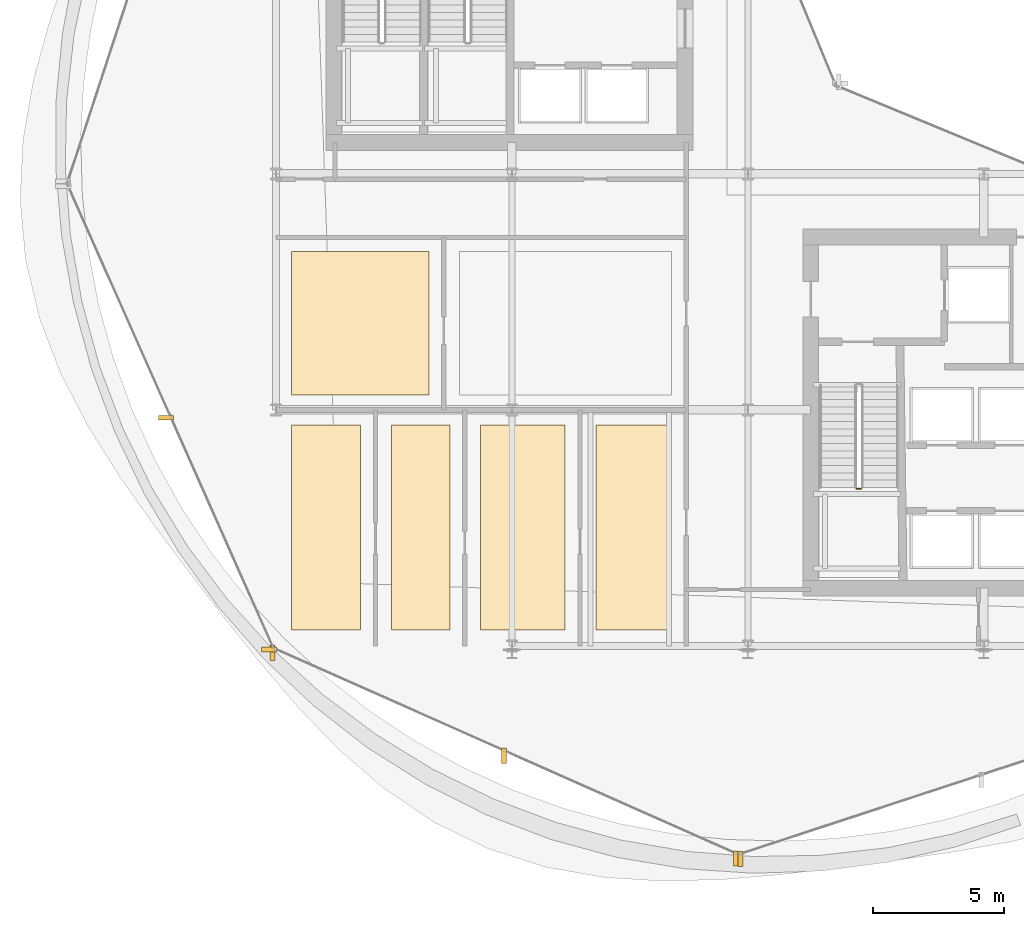
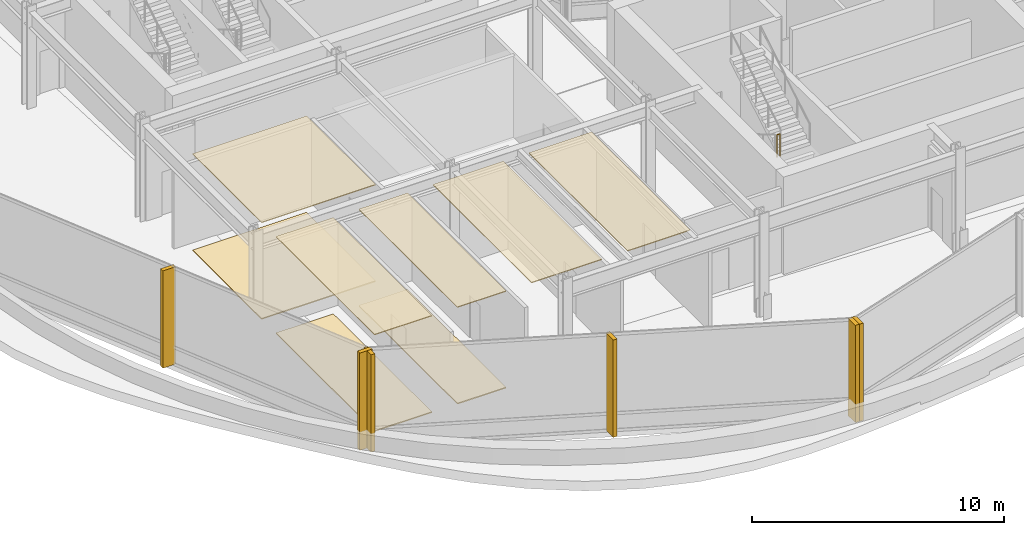
# One storey, part 27 of 33: 14 coverings, 1 railing.
"""IFC4 building model written with IfcOpenShell, lengths in metres."""

import ifcopenshell
import ifcopenshell.guid

model = None  # the IFC model being written
_history = None  # IfcOwnerHistory: only IFC2X3 demands one
_inside = {}  # id of a spatial element -> (the spatial element, [elements in it])
_under = {}  # id of a project, library or spatial element -> (it, [spatial elements below it])
_declared = {}  # id of a project -> (the project, [libraries it declares])
_typed = {}  # id of a type object -> (the type object, [elements of that type])
_made_of = {}  # id of a material, layer set ... -> (it, [elements and type objects made of it])


def new_model(schema):
    """Start an empty IFC model of exactly this schema.

    Asked for "IFC4X3", IfcOpenShell would pick the latest addendum, in which some entities
    have other attributes; the version numbers below select the first issue.
    IFC2X3 requires an IfcOwnerHistory on every rooted entity: one is made here for all.
    """
    global model, _history
    if schema == "IFC4X3":
        model = ifcopenshell.file(schema_version=(4, 3, 0, 0))
    else:
        model = ifcopenshell.file(schema=schema)
    _inside.clear()
    _under.clear()
    _declared.clear()
    _typed.clear()
    _made_of.clear()
    _history = None
    if model.schema == "IFC2X3":
        org = make("IfcOrganization", Name="unknown")
        user = make(
            "IfcPersonAndOrganization",
            ThePerson=make("IfcPerson", FamilyName="unknown"),
            TheOrganization=org,
        )
        app = make(
            "IfcApplication",
            ApplicationDeveloper=org,
            Version="unknown",
            ApplicationFullName="unknown",
            ApplicationIdentifier="unknown",
        )
        _history = make(
            "IfcOwnerHistory",
            OwningUser=user,
            OwningApplication=app,
            ChangeAction="ADDED",
            CreationDate=0,
        )
    return model


def make(cls, **values):
    """One entity of the class cls with the attributes given. An attribute that is None is left unset."""
    return model.create_entity(
        cls, **{name: value for name, value in values.items() if value is not None}
    )


def rooted(cls, **values):
    """An entity with a GlobalId (a new one), such as an element, a storey or a relation."""
    return make(cls, GlobalId=ifcopenshell.guid.new(), OwnerHistory=_history, **values)


def si_unit(unit_type, name, prefix=None):
    """IfcSIUnit, for example si_unit("LENGTHUNIT", "METRE", prefix="MILLI")."""
    return make("IfcSIUnit", UnitType=unit_type, Prefix=prefix, Name=name)


def assignment(units):
    """IfcUnitAssignment: the units of a project."""
    return None if units is None else make("IfcUnitAssignment", Units=units)


def point(xyz):
    """IfcCartesianPoint."""
    return None if xyz is None else make("IfcCartesianPoint", Coordinates=xyz)


def direction(xyz):
    """IfcDirection."""
    return None if xyz is None else make("IfcDirection", DirectionRatios=xyz)


def frame(location, z_axis=None, x_axis=None):
    """IfcAxis2Placement3D, a coordinate frame: its origin and axes. An axis left out is left unset."""
    return make(
        "IfcAxis2Placement3D",
        Location=point(location),
        Axis=direction(z_axis),
        RefDirection=direction(x_axis),
    )


def frame_2d(location, x_axis=None):
    """IfcAxis2Placement2D, a coordinate frame in the plane: its origin and x axis."""
    return make(
        "IfcAxis2Placement2D", Location=point(location), RefDirection=direction(x_axis)
    )


def origin():
    """The frame at (0, 0, 0) with its axes left unset."""
    return frame((0.0, 0.0, 0.0))


def origin_2d():
    """The frame at (0, 0) in the plane with its x axis left unset."""
    return frame_2d((0.0, 0.0))


def place(relative_to, where):
    """IfcLocalPlacement: puts the frame where relative to a parent placement (None: the world)."""
    return make(
        "IfcLocalPlacement", PlacementRelTo=relative_to, RelativePlacement=where
    )


def context(
    kind, dimensions, precision=None, world=None, true_north=None, identifier=None
):
    """IfcGeometricRepresentationContext, for example the 3D "Model" context."""
    return make(
        "IfcGeometricRepresentationContext",
        ContextIdentifier=identifier,
        ContextType=kind,
        CoordinateSpaceDimension=dimensions,
        Precision=precision,
        WorldCoordinateSystem=world,
        TrueNorth=true_north,
    )


def subcontext(parent, identifier, kind, view, scale=None):
    """IfcGeometricRepresentationSubContext, for example "Body" below "Model"."""
    return make(
        "IfcGeometricRepresentationSubContext",
        ContextIdentifier=identifier,
        ContextType=kind,
        ParentContext=parent,
        TargetScale=scale,
        TargetView=view,
    )


def project(units=None, contexts=None):
    """IfcProject with its units and contexts."""
    return rooted(
        "IfcProject",
        Name="project",
        RepresentationContexts=contexts,
        UnitsInContext=assignment(units),
    )


def spatial(cls, under=None, at=None, **own):
    """A site, building, storey or space (cls), placed at a placement, below another one or the project."""
    s = rooted(cls, ObjectPlacement=at, **own)
    if under is not None:
        _under.setdefault(under.id(), (under, []))[1].append(s)
    return s


def polyline(points):
    """IfcPolyline through the points."""
    return make("IfcPolyline", Points=[point(p) for p in points])


def profile(cls, at=None, kind="AREA", **sizes):
    """A parametric profile (cls). Its sizes go by their IFC names, for example OverallWidth=200.0."""
    return make(cls, ProfileType=kind, Position=at, **sizes)


def rectangle(**sizes):
    """IfcRectangleProfileDef."""
    return profile("IfcRectangleProfileDef", **sizes)


def circle(**sizes):
    """IfcCircleProfileDef."""
    return profile("IfcCircleProfileDef", **sizes)


def outline(outer, holes=None, kind="AREA"):
    """IfcArbitraryClosedProfileDef: a profile drawn as a closed curve; with holes, ...WithVoids."""
    if holes is None:
        return make("IfcArbitraryClosedProfileDef", ProfileType=kind, OuterCurve=outer)
    return make(
        "IfcArbitraryProfileDefWithVoids",
        ProfileType=kind,
        OuterCurve=outer,
        InnerCurves=holes,
    )


def extrude(swept, where, along, depth):
    """IfcExtrudedAreaSolid: the profile swept, set in the frame where, extruded along a direction by depth."""
    return make(
        "IfcExtrudedAreaSolid",
        SweptArea=swept,
        Position=where,
        ExtrudedDirection=direction(along),
        Depth=depth,
    )


def shape(context_of_items, identifier, shape_type, items):
    """IfcShapeRepresentation: the items that make up one representation, for example the "Body"."""
    return make(
        "IfcShapeRepresentation",
        ContextOfItems=context_of_items,
        RepresentationIdentifier=identifier,
        RepresentationType=shape_type,
        Items=items,
    )


def material(Name=None, Category=None):
    """IfcMaterial."""
    return make("IfcMaterial", Name=Name, Category=Category)


def layer(
    of_material, thickness, ventilated=None, Name=None, Category=None, Priority=None
):
    """IfcMaterialLayer: one layer of a wall or slab, of a material (None: an air gap)."""
    return make(
        "IfcMaterialLayer",
        Material=of_material,
        LayerThickness=thickness,
        IsVentilated=ventilated,
        Name=Name,
        Category=Category,
        Priority=Priority,
    )


def layer_set(layers, Name=None):
    """IfcMaterialLayerSet."""
    return make("IfcMaterialLayerSet", MaterialLayers=layers, LayerSetName=Name)


def made_of(thing, what):
    """Note that an element or type object is made of a material, layer set ...; save() writes the relation."""
    if what is not None:
        _made_of.setdefault(what.id(), (what, []))[1].append(thing)
    return thing


def type_object(cls, material=None, **own):
    """A type object (cls), such as IfcWallType, which elements share."""
    return made_of(rooted(cls, **own), material)


def element(
    cls,
    number,
    at=None,
    inside=None,
    cuts=None,
    type_object=None,
    material=None,
    context=None,
    identifier="Body",
    shape_type=None,
    held_by="IfcProductDefinitionShape",
    body=None,
    shapes=None,
    **own,
):
    """One element of the class cls, such as IfcWall. Its Tag is "e" and its number.

    at: its placement. inside: the storey or other place that contains it. cuts: it is an
    opening in that element (IfcRelVoidsElement). A single representation is given by context,
    identifier, shape_type and body (its items); several are given by shapes. held_by: the class
    of the entity that holds the representations. save() writes the other relations.
    """
    e = rooted(cls, Tag="e%d" % number, ObjectPlacement=at, **own)
    if body is not None:
        shapes = [shape(context, identifier, shape_type, body)]
    if shapes is not None:
        e.Representation = make(held_by, Representations=shapes)
    if inside is not None:
        _inside.setdefault(inside.id(), (inside, []))[1].append(e)
    if cuts is not None:
        rooted(
            "IfcRelVoidsElement", RelatingBuildingElement=cuts, RelatedOpeningElement=e
        )
    if type_object is not None:
        _typed.setdefault(type_object.id(), (type_object, []))[1].append(e)
    return made_of(e, material)


def aggregate(whole, parts):
    """IfcRelAggregates: a whole, such as a stair, and the parts it consists of."""
    return rooted("IfcRelAggregates", RelatingObject=whole, RelatedObjects=parts)


def save(model, path):
    """Write the relations noted so far, then the file.

    IfcRelAggregates (storeys below a building ...), IfcRelContainedInSpatialStructure (elements
    in a storey), IfcRelDefinesByType, IfcRelAssociatesMaterial and IfcRelDeclares: one each for
    every whole, place, type object, material and project.
    """
    for whole, parts in _under.values():
        aggregate(whole, parts)
    for where, things in _inside.values():
        rooted(
            "IfcRelContainedInSpatialStructure",
            RelatedElements=things,
            RelatingStructure=where,
        )
    for kind, things in _typed.values():
        rooted("IfcRelDefinesByType", RelatedObjects=things, RelatingType=kind)
    for what, things in _made_of.values():
        rooted("IfcRelAssociatesMaterial", RelatedObjects=things, RelatingMaterial=what)
    for by, libraries in _declared.values():
        rooted("IfcRelDeclares", RelatingContext=by, RelatedDefinitions=libraries)
    model.write(path)


model = new_model("IFC4")

# Units and contexts
model_context = context("Model", 3, precision=1e-05, world=origin(), true_north=direction((0.0, 1.0)))
body_context = subcontext(model_context, "Body", "Model", "MODEL_VIEW")
ifc_project = project(units=[si_unit("LENGTHUNIT", "METRE"), si_unit("AREAUNIT", "SQUARE_METRE"), si_unit("VOLUMEUNIT", "CUBIC_METRE"), si_unit("PLANEANGLEUNIT", "RADIAN"), si_unit("MASSUNIT", "GRAM", prefix="KILO")], contexts=[model_context])

# Site, building, storey
site_placement = place(None, origin())
site = spatial("IfcSite", under=ifc_project, at=site_placement, CompositionType="ELEMENT")
building_placement = place(site_placement, origin())
building = spatial("IfcBuilding", under=site, at=building_placement, Name="Solvaryn Broadcast Tower", CompositionType="ELEMENT")
storey_placement = place(building_placement, frame((0.0, 0.0, 105.0)))
storey = spatial("IfcBuildingStorey", under=building, at=storey_placement, Name="L25", CompositionType="ELEMENT", Elevation=105.0)

# Coverings
ifc_material_1 = material(Name="Micro-Perforated Acoustic Gypsum Ceiling", Category="concrete")
ifc_layer_1 = layer(ifc_material_1, 0.0400390625)
ifc_layer_set_1 = layer_set([ifc_layer_1], Name="CV-CEIL-ACOUSTIC")
covering_type_1 = type_object("IfcCoveringType", Name="CV-CEIL-ACOUSTIC", PredefinedType="CEILING", material=ifc_layer_set_1)
covering_1_placement = place(storey_placement, frame((0.0, 0.0, 4.679931640625)))
element("IfcCovering", 1, at=covering_1_placement, inside=storey, type_object=covering_type_1, Name="L25 Room Acoustic Ceiling 1", PredefinedType="CEILING", context=body_context, shape_type="SweptSolid", body=[
    extrude(outline(polyline([(9.60009765625, 18.570068359375), (14.830078125, 18.570068359375), (14.830078125, 24.050048828125), (9.60009765625, 24.050048828125), (9.60009765625, 18.570068359375)])), origin(), (0.0, 0.0, 1.0), 0.0400390625),
])
covering_2_placement = place(storey_placement, frame((0.0, 0.0, 4.679931640625)))
element("IfcCovering", 2, at=covering_2_placement, inside=storey, type_object=covering_type_1, Name="L25 Room Acoustic Ceiling 3", PredefinedType="CEILING", context=body_context, shape_type="SweptSolid", body=[
    extrude(outline(polyline([(9.60009765625, 9.60009765625), (12.22998046875, 9.60009765625), (12.22998046875, 17.429931640625), (9.60009765625, 17.429931640625), (9.60009765625, 9.60009765625)])), origin(), (0.0, 0.0, 1.0), 0.0400390625),
])
covering_3_placement = place(storey_placement, frame((0.0, 0.0, 4.679931640625)))
element("IfcCovering", 3, at=covering_3_placement, inside=storey, type_object=covering_type_1, Name="L25 Room Acoustic Ceiling 4", PredefinedType="CEILING", context=body_context, shape_type="SweptSolid", body=[
    extrude(outline(polyline([(13.39990234375, 9.60009765625), (15.6298828125, 9.60009765625), (15.6298828125, 17.429931640625), (13.39990234375, 17.429931640625), (13.39990234375, 9.60009765625)])), origin(), (0.0, 0.0, 1.0), 0.0400390625),
])
covering_4_placement = place(storey_placement, frame((0.0, 0.0, 4.679931640625)))
element("IfcCovering", 4, at=covering_4_placement, inside=storey, type_object=covering_type_1, Name="L25 Room Acoustic Ceiling 5", PredefinedType="CEILING", context=body_context, shape_type="SweptSolid", body=[
    extrude(outline(polyline([(16.800048828125, 9.60009765625), (20.030029296875, 9.60009765625), (20.030029296875, 17.429931640625), (16.800048828125, 17.429931640625), (16.800048828125, 9.60009765625)])), origin(), (0.0, 0.0, 1.0), 0.0400390625),
])
covering_5_placement = place(storey_placement, frame((0.0, 0.0, 4.679931640625)))
element("IfcCovering", 5, at=covering_5_placement, inside=storey, type_object=covering_type_1, Name="L25 Room Acoustic Ceiling 6", PredefinedType="CEILING", context=body_context, shape_type="SweptSolid", body=[
    extrude(outline(polyline([(21.199951171875, 9.60009765625), (24.080078125, 9.60009765625), (24.080078125, 17.429931640625), (21.199951171875, 17.429931640625), (21.199951171875, 9.60009765625)])), origin(), (0.0, 0.0, 1.0), 0.0400390625),
])
ifc_material_2 = material(Name="Newsroom Raised Data Access Flooring", Category="steel")
ifc_layer_2 = layer(ifc_material_2, 0.050048828125)
ifc_layer_set_2 = layer_set([ifc_layer_2], Name="CV-FLOOR-RAISED")
covering_type_2 = type_object("IfcCoveringType", Name="CV-FLOOR-RAISED", PredefinedType="FLOORING", material=ifc_layer_set_2)
covering_6_placement = place(storey_placement, origin())
element("IfcCovering", 6, at=covering_6_placement, inside=storey, type_object=covering_type_2, Name="L25 Room Acoustic Floor Finish 1", PredefinedType="FLOORING", context=body_context, shape_type="SweptSolid", body=[
    extrude(outline(polyline([(9.60009765625, 18.570068359375), (14.830078125, 18.570068359375), (14.830078125, 24.050048828125), (9.60009765625, 24.050048828125), (9.60009765625, 18.570068359375)])), origin(), (0.0, 0.0, 1.0), 0.050048828125),
])
covering_7_placement = place(storey_placement, origin())
element("IfcCovering", 7, at=covering_7_placement, inside=storey, type_object=covering_type_2, Name="L25 Room Acoustic Floor Finish 3", PredefinedType="FLOORING", context=body_context, shape_type="SweptSolid", body=[
    extrude(outline(polyline([(9.60009765625, 9.60009765625), (12.22998046875, 9.60009765625), (12.22998046875, 17.429931640625), (9.60009765625, 17.429931640625), (9.60009765625, 9.60009765625)])), origin(), (0.0, 0.0, 1.0), 0.050048828125),
])
covering_8_placement = place(storey_placement, origin())
element("IfcCovering", 8, at=covering_8_placement, inside=storey, type_object=covering_type_2, Name="L25 Room Acoustic Floor Finish 4", PredefinedType="FLOORING", context=body_context, shape_type="SweptSolid", body=[
    extrude(outline(polyline([(13.39990234375, 9.60009765625), (15.6298828125, 9.60009765625), (15.6298828125, 17.429931640625), (13.39990234375, 17.429931640625), (13.39990234375, 9.60009765625)])), origin(), (0.0, 0.0, 1.0), 0.050048828125),
])
ifc_material_3 = material(Name="Extruded Architectural Terracotta Fin", Category="masonry")
ifc_layer_3 = layer(ifc_material_3, 0.179931640625)
ifc_layer_set_3 = layer_set([ifc_layer_3], Name="CV-TC-FIN")
covering_type_3 = type_object("IfcCoveringType", Name="CV-TC-FIN", PredefinedType="USERDEFINED", material=ifc_layer_set_3)
for number, where, z_axis, x_axis, name in (
    (9, (4.806884765625, 17.69921875, 0.0), (0.0, 0.0, 1.0), (1.0, 0.0, 0.0), "L25 Terracotta Vertical Fin FIN-L25-DR2-M01"),
    (10, (8.731689453125, 8.86279296875, 0.0), (0.0, 0.0, 1.0), (1.0, 0.0, 0.0), "L25 Terracotta Vertical Fin FIN-L25-DR2-M02"),
):
    element("IfcCovering", number, at=place(storey_placement, frame(where, z_axis=z_axis, x_axis=x_axis)), inside=storey, type_object=covering_type_3, Name=name, ObjectType="FIN", PredefinedType="USERDEFINED", context=body_context, shape_type="SweptSolid", body=[
        extrude(rectangle(XDim=0.580078125, YDim=0.179931640625, at=origin_2d()), origin(), (0.0, 0.0, 1.0), 4.719970703125),
    ])
for number, where, z_axis, x_axis, name in (
    (11, (8.86279296875, 8.731689453125, 0.0), (0.0, 0.0, 1.0), (1.0, 0.0, 0.0), "L25 Terracotta Vertical Fin FIN-L25-DR3-M00"),
    (12, (17.69921875, 4.806884765625, 0.0), (0.0, 0.0, 1.0), (1.0, 0.0, 0.0), "L25 Terracotta Vertical Fin FIN-L25-DR3-M01"),
    (13, (26.535888671875, 0.8818359375, 0.0), (0.0, 0.0, 1.0), (1.0, 0.0, 0.0), "L25 Terracotta Vertical Fin FIN-L25-DR3-M02"),
    (14, (26.720703125, 0.872314453125, 0.0), (0.0, 0.0, 1.0), (1.0, 0.0, 0.0), "L25 Terracotta Vertical Fin FIN-L25-DR4-M00"),
):
    element("IfcCovering", number, at=place(storey_placement, frame(where, z_axis=z_axis, x_axis=x_axis)), inside=storey, type_object=covering_type_3, Name=name, ObjectType="FIN", PredefinedType="USERDEFINED", context=body_context, shape_type="SweptSolid", body=[
        extrude(rectangle(XDim=0.179931640625, YDim=0.580078125, at=origin_2d()), origin(), (0.0, 0.0, 1.0), 4.719970703125),
    ])

# Railing
ifc_material_4 = material(Name="Painted Steel Stair Well Guard", Category="steel")
railing_type = type_object("IfcRailingType", Name="RL-STAIR-GUARD", PredefinedType="BALUSTRADE", material=ifc_material_4)
railing_placement = place(storey_placement, frame((31.159912109375, 14.989990234375, 2.5)))
element("IfcRailing", 15, at=railing_placement, inside=storey, type_object=railing_type, Name="L25 ST3 stair guard 2", PredefinedType="BALUSTRADE", context=body_context, shape_type="SweptSolid", body=[
    extrude(circle(Radius=0.02392578125, at=origin_2d()), frame((0.0, 0.0, 1.076171875), z_axis=(1.0, 0.0, 0.0), x_axis=(0.0, 1.0, 0.0)), (0.0, 0.0, 1.0), 0.150146484375),
    extrude(circle(Radius=0.02099609375, at=origin_2d()), origin(), (0.0, 0.0, 1.0), 1.052001953125),
    extrude(circle(Radius=0.02099609375, at=origin_2d()), frame((0.150146484375, 0.0, 0.0)), (0.0, 0.0, 1.0), 1.052001953125),
])

save(model, "model.ifc")
